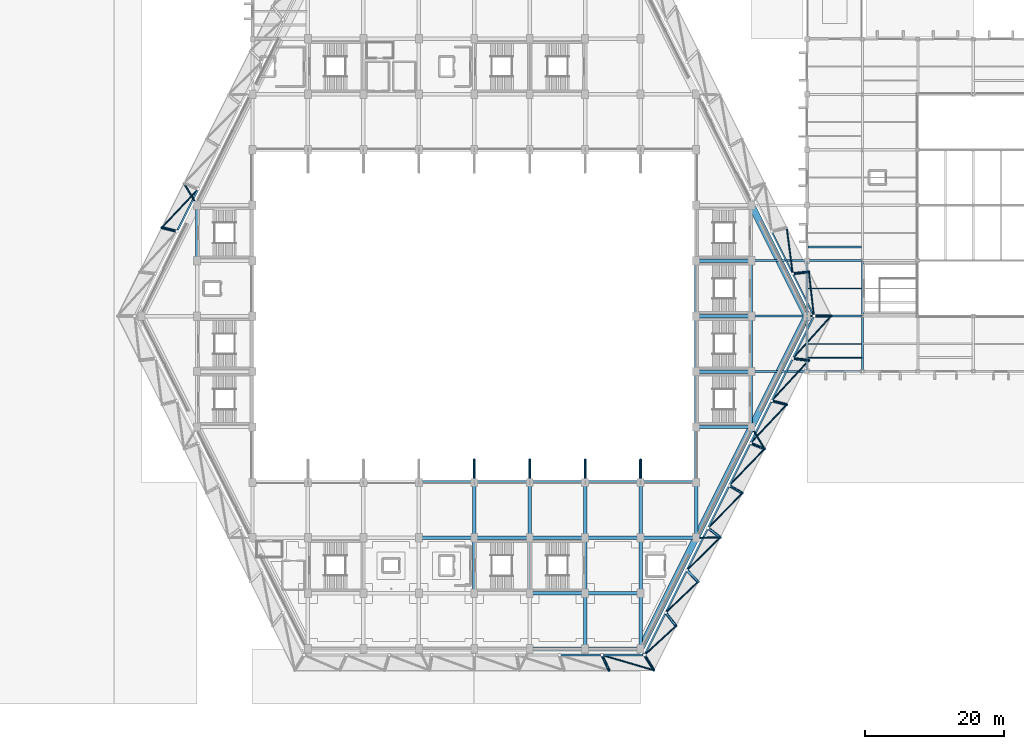
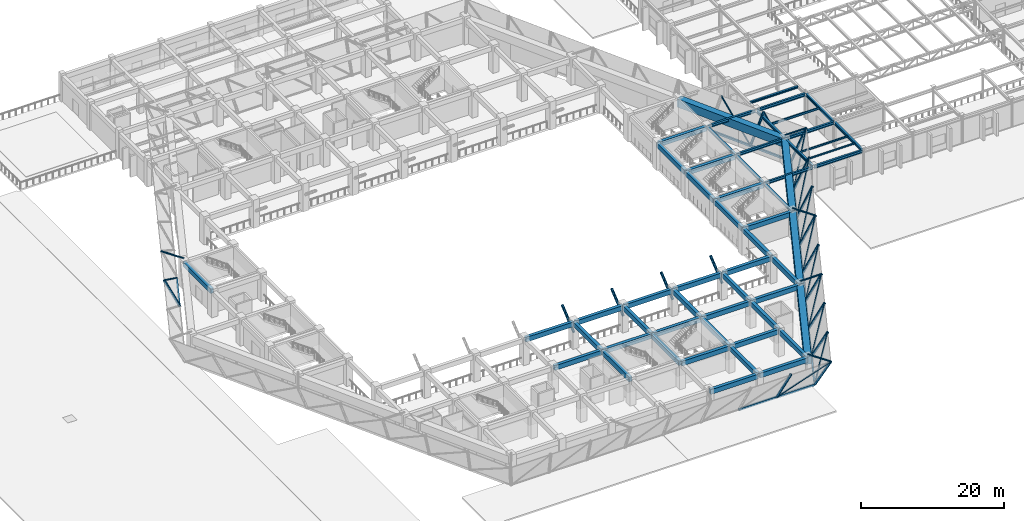
# One storey, part 8 of 46: 55 beams, 46 members.
"""IFC4 building model written with IfcOpenShell, lengths in metres."""

from ifc_helpers import new_model, si_unit, direction, frame, origin, origin_2d, place, context, subcontext, project, spatial, rectangle, hollow_rectangle, hollow_circle, i_section, extrude, material, material_profile, profile_set, type_object, element, save


model = new_model("IFC4")

# Units and contexts
model_context = context("Model", 3, precision=1e-05, world=origin(), true_north=direction((0.0, 1.0)))
body_context = subcontext(model_context, "Body", "Model", "MODEL_VIEW")
ifc_project = project(units=[si_unit("LENGTHUNIT", "METRE"), si_unit("AREAUNIT", "SQUARE_METRE"), si_unit("VOLUMEUNIT", "CUBIC_METRE"), si_unit("PLANEANGLEUNIT", "RADIAN"), si_unit("MASSUNIT", "GRAM", prefix="KILO")], contexts=[model_context])

# Site, building, storey
site_placement = place(None, origin())
site = spatial("IfcSite", under=ifc_project, at=site_placement, CompositionType="ELEMENT")
building_placement = place(site_placement, origin())
building = spatial("IfcBuilding", under=site, at=building_placement, Name="Tazarka Park Arena", CompositionType="ELEMENT")
storey_placement = place(building_placement, frame((0.0, 0.0, 10.199951171875)))
storey = spatial("IfcBuildingStorey", under=building, at=storey_placement, Name="L02", CompositionType="ELEMENT", Elevation=10.199951171875)

# Beams
ifc_material_1 = material(Name="Concrete C40/50", Category="concrete")
ifc_material_profile_1 = material_profile(ifc_material_1, rectangle(XDim=0.5, YDim=0.800048828125, at=origin_2d()), Name="Concrete C40/50")
ifc_profile_set_1 = profile_set([ifc_material_profile_1], Name="Concrete C40/50")
beam_type_1 = type_object("IfcBeamType", Name="BM-B-02", PredefinedType="BEAM", material=ifc_profile_set_1)
for number, where, z_axis, x_axis, name in (
    (1, (80.1201171875, 32.0, 4.02001953125), (1.0, 0.0, 0.0), (0.0, 1.0, 0.0), "GXM-L02-10-04"),
    (2, (88.0, 24.1201171875, 4.02001953125), (0.0, 1.0, 0.0), (-1.0, 0.0, 0.0), "GYM-L02-11-03"),
    (3, (88.1201171875, 32.0, 4.02001953125), (1.0, 0.0, 0.0), (0.0, 1.0, 0.0), "GXM-L02-11-04"),
    (4, (88.0, 32.1201171875, 4.02001953125), (0.0, 1.0, 0.0), (-1.0, 0.0, 0.0), "GYM-L02-11-04"),
    (5, (96.1201171875, 24.0, 4.02001953125), (1.0, 0.0, 0.0), (0.0, 1.0, 0.0), "GXM-L02-12-03"),
    (6, (96.0, 24.1201171875, 4.02001953125), (0.0, 1.0, 0.0), (-1.0, 0.0, 0.0), "GYM-L02-12-03"),
    (7, (96.1201171875, 32.0, 4.02001953125), (1.0, 0.0, 0.0), (0.0, 1.0, 0.0), "GXM-L02-12-04"),
    (8, (96.0, 32.1201171875, 4.02001953125), (0.0, 1.0, 0.0), (-1.0, 0.0, 0.0), "GYM-L02-12-04"),
    (9, (104.0, 16.1201171875, 4.02001953125), (0.0, 1.0, 0.0), (-1.0, 0.0, 0.0), "GYM-L02-13-02"),
    (10, (104.1201171875, 24.0, 4.02001953125), (1.0, 0.0, 0.0), (0.0, 1.0, 0.0), "GXM-L02-13-03"),
    (11, (104.0, 24.1201171875, 4.02001953125), (0.0, 1.0, 0.0), (-1.0, 0.0, 0.0), "GYM-L02-13-03"),
    (12, (104.1201171875, 32.0, 4.02001953125), (1.0, 0.0, 0.0), (0.0, 1.0, 0.0), "GXM-L02-13-04"),
    (13, (104.0, 32.1201171875, 4.02001953125), (0.0, 1.0, 0.0), (-1.0, 0.0, 0.0), "GYM-L02-13-04"),
    (14, (112.1201171875, 32.0, 4.02001953125), (1.0, 0.0, 0.0), (0.0, 1.0, 0.0), "GXM-L02-14-04"),
    (15, (112.0, 32.1201171875, 4.02001953125), (0.0, 1.0, 0.0), (-1.0, 0.0, 0.0), "GYM-L02-14-04"),
    (16, (120.1201171875, 48.0, 4.02001953125), (1.0, 0.0, 0.0), (0.0, 1.0, 0.0), "GXM-L02-15-06"),
    (17, (120.1201171875, 56.0, 4.02001953125), (1.0, 0.0, 0.0), (0.0, 1.0, 0.0), "GXM-L02-15-07"),
    (18, (120.1201171875, 64.0, 4.02001953125), (1.0, 0.0, 0.0), (0.0, 1.0, 0.0), "GXM-L02-15-08"),
    (19, (120.1201171875, 72.0, 4.02001953125), (1.0, 0.0, 0.0), (0.0, 1.0, 0.0), "GXM-L02-15-09"),
):
    element("IfcBeam", number, at=place(storey_placement, frame(where, z_axis=z_axis, x_axis=x_axis)), inside=storey, type_object=beam_type_1, Name=name, PredefinedType="BEAM", context=body_context, shape_type="SweptSolid", body=[
        extrude(rectangle(XDim=0.5, YDim=0.800048828125, at=origin_2d()), origin(), (0.0, 0.0, 1.0), 7.759765625),
    ])
ifc_material_2 = material(Name="Steel S355", Category="steel")
ifc_material_profile_2 = material_profile(ifc_material_2, i_section(OverallWidth=0.300048828125, OverallDepth=0.489990234375, WebThickness=0.011962890625, FlangeThickness=0.02294921875, FilletRadius=0.027099609375, at=origin_2d()), Name="Steel S355")
ifc_profile_set_2 = profile_set([ifc_material_profile_2], Name="Steel S355")
beam_type_2 = type_object("IfcBeamType", Name="BM-B-06", PredefinedType="BEAM", material=ifc_profile_set_2)
for number, where, z_axis, x_axis, name in (
    (20, (128.1201171875, 56.0, 4.175048828125), (1.0, 0.0, 0.0), (0.0, 1.0, 0.0), "GXM-L02-16-07"),
    (21, (128.0, 56.1201171875, 4.175048828125), (0.0, 1.0, 0.0), (-1.0, 0.0, 0.0), "GYM-L02-16-07"),
    (22, (128.1201171875, 64.0, 4.175048828125), (1.0, 0.0, 0.0), (0.0, 1.0, 0.0), "GXM-L02-16-08"),
    (23, (128.0, 64.1201171875, 4.175048828125), (0.0, 1.0, 0.0), (-1.0, 0.0, 0.0), "GYM-L02-16-08"),
    (24, (128.1201171875, 72.0, 4.175048828125), (1.0, 0.0, 0.0), (0.0, 1.0, 0.0), "GXM-L02-16-09"),
    (25, (136.0, 56.1201171875, 4.175048828125), (0.0, 1.0, 0.0), (-1.0, 0.0, 0.0), "GYM-L02-17-07"),
    (26, (136.1201171875, 64.0, 4.175048828125), (1.0, 0.0, 0.0), (0.0, 1.0, 0.0), "GXM-L02-17-08"),
    (27, (136.0, 64.1201171875, 4.175048828125), (0.0, 1.0, 0.0), (-1.0, 0.0, 0.0), "GYM-L02-17-08"),
    (28, (136.1201171875, 72.0, 4.175048828125), (1.0, 0.0, 0.0), (0.0, 1.0, 0.0), "GXM-L02-17-09"),
    (29, (144.0, 56.1201171875, 4.175048828125), (0.0, 1.0, 0.0), (-1.0, 0.0, 0.0), "GYM-L02-18-07"),
    (30, (144.0, 64.1201171875, 4.175048828125), (0.0, 1.0, 0.0), (-1.0, 0.0, 0.0), "GYM-L02-18-08"),
):
    element("IfcBeam", number, at=place(storey_placement, frame(where, z_axis=z_axis, x_axis=x_axis)), inside=storey, type_object=beam_type_2, Name=name, PredefinedType="BEAM", context=body_context, shape_type="SweptSolid", body=[
        extrude(i_section(OverallWidth=0.300048828125, OverallDepth=0.489990234375, WebThickness=0.011962890625, FlangeThickness=0.02294921875, FilletRadius=0.027099609375, at=origin_2d()), origin(), (0.0, 0.0, 1.0), 7.759765625),
    ])
ifc_material_3 = material(Name="Steel S355", Category="steel")
ifc_material_profile_3 = material_profile(ifc_material_3, i_section(OverallWidth=0.14990234375, OverallDepth=0.300048828125, WebThickness=0.007080078125, FlangeThickness=0.0107421875, FilletRadius=0.014892578125, at=origin_2d()), Name="Steel S355")
ifc_profile_set_3 = profile_set([ifc_material_profile_3], Name="Steel S355")
beam_type_3 = type_object("IfcBeamType", Name="BM-J-01", PredefinedType="JOIST", material=ifc_profile_set_3)
beam_1_placement = place(storey_placement, frame((136.1201171875, 60.0, 4.27001953125), z_axis=(1.0, 0.0, 0.0), x_axis=(0.0, 1.0, 0.0)))
element("IfcBeam", 31, at=beam_1_placement, inside=storey, type_object=beam_type_3, Name="JST-L02-17-07", PredefinedType="JOIST", context=body_context, shape_type="SweptSolid", body=[
    extrude(i_section(OverallWidth=0.14990234375, OverallDepth=0.300048828125, WebThickness=0.007080078125, FlangeThickness=0.0107421875, FilletRadius=0.014892578125, at=origin_2d()), origin(), (0.0, 0.0, 1.0), 7.759765625),
])
ifc_material_4 = material(Name="Steel S355", Category="steel")
ifc_material_profile_4 = material_profile(ifc_material_4, i_section(OverallWidth=0.169921875, OverallDepth=0.360107421875, WebThickness=0.008056640625, FlangeThickness=0.0126953125, FilletRadius=0.01806640625, at=origin_2d()), Name="Steel S355")
ifc_profile_set_4 = profile_set([ifc_material_profile_4], Name="Steel S355")
beam_type_4 = type_object("IfcBeamType", Name="BM-J-02", PredefinedType="JOIST", material=ifc_profile_set_4)
beam_2_placement = place(storey_placement, frame((136.1201171875, 68.0, 4.239990234375), z_axis=(1.0, 0.0, 0.0), x_axis=(0.0, 1.0, 0.0)))
element("IfcBeam", 32, at=beam_2_placement, inside=storey, type_object=beam_type_4, Name="JST-L02-17-08", PredefinedType="JOIST", context=body_context, shape_type="SweptSolid", body=[
    extrude(i_section(OverallWidth=0.169921875, OverallDepth=0.360107421875, WebThickness=0.008056640625, FlangeThickness=0.0126953125, FilletRadius=0.01806640625, at=origin_2d()), origin(), (0.0, 0.0, 1.0), 7.759765625),
])
ifc_material_5 = material(Name="Steel S355", Category="steel")
ifc_material_profile_5 = material_profile(ifc_material_5, i_section(OverallWidth=0.135009765625, OverallDepth=0.27001953125, WebThickness=0.006591796875, FlangeThickness=0.01025390625, FilletRadius=0.014892578125, at=origin_2d()), Name="Steel S355")
ifc_profile_set_5 = profile_set([ifc_material_profile_5], Name="Steel S355")
beam_type_5 = type_object("IfcBeamType", Name="BM-J-04", PredefinedType="JOIST", material=ifc_profile_set_5)
beam_3_placement = place(storey_placement, frame((136.1201171875, 58.0, 4.28515625), z_axis=(1.0, 0.0, 0.0), x_axis=(0.0, 1.0, 0.0)))
element("IfcBeam", 33, at=beam_3_placement, inside=storey, type_object=beam_type_5, Name="JST2-L02-17-07", PredefinedType="JOIST", context=body_context, shape_type="SweptSolid", body=[
    extrude(i_section(OverallWidth=0.135009765625, OverallDepth=0.27001953125, WebThickness=0.006591796875, FlangeThickness=0.01025390625, FilletRadius=0.014892578125, at=origin_2d()), origin(), (0.0, 0.0, 1.0), 7.759765625),
])
ifc_material_6 = material(Name="Steel S355", Category="steel")
ifc_material_profile_6 = material_profile(ifc_material_6, i_section(OverallWidth=0.300048828125, OverallDepth=0.330078125, WebThickness=0.009521484375, FlangeThickness=0.0166015625, FilletRadius=0.027099609375, at=origin_2d()), Name="Steel S355")
ifc_profile_set_6 = profile_set([ifc_material_profile_6], Name="Steel S355")
beam_type_6 = type_object("IfcBeamType", Name="BM-J-06", PredefinedType="JOIST", material=ifc_profile_set_6)
beam_4_placement = place(storey_placement, frame((136.1201171875, 74.0, 4.255126953125), z_axis=(1.0, 0.0, 0.0), x_axis=(0.0, 1.0, 0.0)))
element("IfcBeam", 34, at=beam_4_placement, inside=storey, type_object=beam_type_6, Name="JST2-L02-17-09", PredefinedType="JOIST", context=body_context, shape_type="SweptSolid", body=[
    extrude(i_section(OverallWidth=0.300048828125, OverallDepth=0.330078125, WebThickness=0.009521484375, FlangeThickness=0.0166015625, FilletRadius=0.027099609375, at=origin_2d()), origin(), (0.0, 0.0, 1.0), 7.759765625),
])
ifc_material_7 = material(Name="Concrete C50/60", Category="concrete")
ifc_material_profile_7 = material_profile(ifc_material_7, rectangle(XDim=1.0, YDim=1.39990234375, at=origin_2d()), Name="Concrete C50/60")
ifc_profile_set_7 = profile_set([ifc_material_profile_7], Name="Concrete C50/60")
beam_type_7 = type_object("IfcBeamType", Name="BM-RNG-01", PredefinedType="BEAM", material=ifc_profile_set_7)
for number, where, z_axis, x_axis, name in (
    (35, (112.0537109375, 16.107421875, 3.719970703125), (0.4472135955, 0.894427191, 0.0), (-0.894427191, 0.4472135955, 0.0), "RING BEAM RNG-01-L02-07"),
    (36, (120.0537109375, 32.107421875, 3.719970703125), (0.4472135955, 0.894427191, 0.0), (-0.894427191, 0.4472135955, 0.0), "RING BEAM RNG-01-L02-08"),
    (37, (128.0537109375, 48.107421875, 3.719970703125), (0.4472135955, 0.894427191, 0.0), (-0.894427191, 0.4472135955, 0.0), "RING BEAM RNG-01-L02-09"),
    (38, (135.9462890625, 64.107421875, 3.719970703125), (-0.4472135955, 0.894427191, 0.0), (-0.894427191, -0.4472135955, 0.0), "RING BEAM RNG-01-L02-10"),
):
    element("IfcBeam", number, at=place(storey_placement, frame(where, z_axis=z_axis, x_axis=x_axis)), inside=storey, type_object=beam_type_7, Name=name, PredefinedType="BEAM", context=body_context, shape_type="SweptSolid", body=[
        extrude(rectangle(XDim=1.0, YDim=1.39990234375, at=origin_2d()), origin(), (0.0, 0.0, 1.0), 17.6484375),
    ])
ifc_material_8 = material(Name="Concrete C40/50", Category="concrete")
ifc_material_profile_8 = material_profile(ifc_material_8, rectangle(XDim=0.5, YDim=0.800048828125, at=origin_2d()), Name="Concrete C40/50")
ifc_profile_set_8 = profile_set([ifc_material_profile_8], Name="Concrete C40/50")
beam_type_8 = type_object("IfcBeamType", Name="BM-SP-01", PredefinedType="SPANDREL", material=ifc_profile_set_8)
for number, where, z_axis, x_axis, name in (
    (39, (48.0, 72.1201171875, 4.02001953125), (0.0, 1.0, 0.0), (-1.0, 0.0, 0.0), "GYM-L02-06-09"),
    (40, (80.1201171875, 40.0, 4.02001953125), (1.0, 0.0, 0.0), (0.0, 1.0, 0.0), "GXM-L02-10-05"),
    (41, (88.1201171875, 40.0, 4.02001953125), (1.0, 0.0, 0.0), (0.0, 1.0, 0.0), "GXM-L02-11-05"),
    (42, (96.1201171875, 16.0, 4.02001953125), (1.0, 0.0, 0.0), (0.0, 1.0, 0.0), "GXM-L02-12-02"),
    (43, (96.1201171875, 40.0, 4.02001953125), (1.0, 0.0, 0.0), (0.0, 1.0, 0.0), "GXM-L02-12-05"),
    (44, (104.1201171875, 16.0, 4.02001953125), (1.0, 0.0, 0.0), (0.0, 1.0, 0.0), "GXM-L02-13-02"),
    (45, (104.1201171875, 40.0, 4.02001953125), (1.0, 0.0, 0.0), (0.0, 1.0, 0.0), "GXM-L02-13-05"),
    (46, (112.0, 16.1201171875, 4.02001953125), (0.0, 1.0, 0.0), (-1.0, 0.0, 0.0), "GYM-L02-14-02"),
    (47, (112.0, 24.1201171875, 4.02001953125), (0.0, 1.0, 0.0), (-1.0, 0.0, 0.0), "GYM-L02-14-03"),
    (48, (112.1201171875, 40.0, 4.02001953125), (1.0, 0.0, 0.0), (0.0, 1.0, 0.0), "GXM-L02-14-05"),
    (49, (120.0, 32.1201171875, 4.02001953125), (0.0, 1.0, 0.0), (-1.0, 0.0, 0.0), "GYM-L02-15-04"),
    (50, (120.0, 40.1201171875, 4.02001953125), (0.0, 1.0, 0.0), (-1.0, 0.0, 0.0), "GYM-L02-15-05"),
    (51, (120.0, 48.1201171875, 4.02001953125), (0.0, 1.0, 0.0), (-1.0, 0.0, 0.0), "GYM-L02-15-06"),
    (52, (120.0, 56.1201171875, 4.02001953125), (0.0, 1.0, 0.0), (-1.0, 0.0, 0.0), "GYM-L02-15-07"),
    (53, (120.0, 64.1201171875, 4.02001953125), (0.0, 1.0, 0.0), (-1.0, 0.0, 0.0), "GYM-L02-15-08"),
):
    element("IfcBeam", number, at=place(storey_placement, frame(where, z_axis=z_axis, x_axis=x_axis)), inside=storey, type_object=beam_type_8, Name=name, PredefinedType="SPANDREL", context=body_context, shape_type="SweptSolid", body=[
        extrude(rectangle(XDim=0.5, YDim=0.800048828125, at=origin_2d()), origin(), (0.0, 0.0, 1.0), 7.759765625),
    ])
ifc_material_9 = material(Name="Steel S355", Category="steel")
ifc_material_profile_9 = material_profile(ifc_material_9, i_section(OverallWidth=0.300048828125, OverallDepth=0.489990234375, WebThickness=0.011962890625, FlangeThickness=0.02294921875, FilletRadius=0.027099609375, at=origin_2d()), Name="Steel S355")
ifc_profile_set_9 = profile_set([ifc_material_profile_9], Name="Steel S355")
beam_type_9 = type_object("IfcBeamType", Name="BM-SP-02", PredefinedType="SPANDREL", material=ifc_profile_set_9)
for number, where, z_axis, x_axis, name in (
    (54, (128.0, 48.1201171875, 4.175048828125), (0.0, 1.0, 0.0), (-1.0, 0.0, 0.0), "GYM-L02-16-06"),
    (55, (136.1201171875, 56.0, 4.175048828125), (1.0, 0.0, 0.0), (0.0, 1.0, 0.0), "GXM-L02-17-07"),
):
    element("IfcBeam", number, at=place(storey_placement, frame(where, z_axis=z_axis, x_axis=x_axis)), inside=storey, type_object=beam_type_9, Name=name, PredefinedType="SPANDREL", context=body_context, shape_type="SweptSolid", body=[
        extrude(i_section(OverallWidth=0.300048828125, OverallDepth=0.489990234375, WebThickness=0.011962890625, FlangeThickness=0.02294921875, FilletRadius=0.027099609375, at=origin_2d()), origin(), (0.0, 0.0, 1.0), 7.759765625),
    ])

# Members
ifc_material_10 = material(Name="Steel S355", Category="steel")
ifc_material_profile_10 = material_profile(ifc_material_10, hollow_circle(Radius=0.122314453125, WallThickness=0.012451171875, at=origin_2d()), Name="Steel S355")
ifc_profile_set_10 = profile_set([ifc_material_profile_10], Name="Steel S355")
member_type_1 = type_object("IfcMemberType", Name="MEM-BR-05", PredefinedType="BRACE", material=ifc_profile_set_10)
member_1_placement = place(storey_placement, frame((106.417236328125, 15.10009765625, 0.0), z_axis=(0.817634034423, -0.239899655485, 0.523376290112), x_axis=(0.281538768725, 0.959549853684, 0.0)))
element("IfcMember", 56, at=member_1_placement, inside=storey, type_object=member_type_1, Name="FLD-07", PredefinedType="BRACE", context=body_context, shape_type="SweptSolid", body=[
    extrude(hollow_circle(Radius=0.122314453125, WallThickness=0.012451171875, at=origin_2d()), origin(), (0.0, 0.0, 1.0), 9.17138671875),
])
member_2_placement = place(storey_placement, frame((112.55615234375, 15.10009765625, 0.0), z_axis=(0.58153737555, 0.534798620205, 0.613029131987), x_axis=(-0.676908607816, 0.736067073482, 0.0)))
element("IfcMember", 57, at=member_2_placement, inside=storey, type_object=member_type_1, Name="FLD-08", PredefinedType="BRACE", context=body_context, shape_type="SweptSolid", body=[
    extrude(hollow_circle(Radius=0.122314453125, WallThickness=0.012451171875, at=origin_2d()), origin(), (0.0, 0.0, 1.0), 7.830078125),
])
member_3_placement = place(storey_placement, frame((115.612548828125, 21.21240234375, 0.0), z_axis=(0.582014110524, 0.553691887491, 0.595554253513), x_axis=(-0.689258667666, 0.724515347696, 0.0)))
element("IfcMember", 58, at=member_3_placement, inside=storey, type_object=member_type_1, Name="FLD-09", PredefinedType="BRACE", context=body_context, shape_type="SweptSolid", body=[
    extrude(hollow_circle(Radius=0.122314453125, WallThickness=0.012451171875, at=origin_2d()), origin(), (0.0, 0.0, 1.0), 8.059814453125),
])
member_4_placement = place(storey_placement, frame((118.668701171875, 27.324951171875, 0.0), z_axis=(0.582139569178, 0.571160801896, 0.578695827162), x_axis=(-0.700343792805, 0.713805696166, 0.0)))
element("IfcMember", 59, at=member_4_placement, inside=storey, type_object=member_type_1, Name="FLD-10", PredefinedType="BRACE", context=body_context, shape_type="SweptSolid", body=[
    extrude(hollow_circle(Radius=0.122314453125, WallThickness=0.012451171875, at=origin_2d()), origin(), (0.0, 0.0, 1.0), 8.294677734375),
])
member_5_placement = place(storey_placement, frame((121.72509765625, 33.4375, 0.0), z_axis=(0.581905181522, 0.587369482883, 0.562479733231), x_axis=(-0.710403503748, 0.70379461625, 0.0)))
element("IfcMember", 60, at=member_5_placement, inside=storey, type_object=member_type_1, Name="FLD-11", PredefinedType="BRACE", context=body_context, shape_type="SweptSolid", body=[
    extrude(hollow_circle(Radius=0.122314453125, WallThickness=0.012451171875, at=origin_2d()), origin(), (0.0, 0.0, 1.0), 8.53369140625),
])
member_6_placement = place(storey_placement, frame((124.78125, 39.550048828125, 0.0), z_axis=(0.581420928226, 0.602393581906, 0.546874461553), x_axis=(-0.719521095395, 0.694470584893, 0.0)))
element("IfcMember", 61, at=member_6_placement, inside=storey, type_object=member_type_1, Name="FLD-12", PredefinedType="BRACE", context=body_context, shape_type="SweptSolid", body=[
    extrude(hollow_circle(Radius=0.122314453125, WallThickness=0.012451171875, at=origin_2d()), origin(), (0.0, 0.0, 1.0), 8.77734375),
])
member_7_placement = place(storey_placement, frame((127.83740234375, 45.66259765625, 0.0), z_axis=(0.580720168177, 0.616347338321, 0.531864686567), x_axis=(-0.727829444319, 0.685758193522, 0.0)))
element("IfcMember", 62, at=member_7_placement, inside=storey, type_object=member_type_1, Name="FLD-13", PredefinedType="BRACE", context=body_context, shape_type="SweptSolid", body=[
    extrude(hollow_circle(Radius=0.122314453125, WallThickness=0.012451171875, at=origin_2d()), origin(), (0.0, 0.0, 1.0), 9.02490234375),
])
member_8_placement = place(storey_placement, frame((130.893798828125, 51.77490234375, 0.0), z_axis=(0.579814796699, 0.629321452741, 0.517464308575), x_axis=(-0.735442245217, 0.67758741425, 0.0)))
element("IfcMember", 63, at=member_8_placement, inside=storey, type_object=member_type_1, Name="FLD-14", PredefinedType="BRACE", context=body_context, shape_type="SweptSolid", body=[
    extrude(hollow_circle(Radius=0.122314453125, WallThickness=0.012451171875, at=origin_2d()), origin(), (0.0, 0.0, 1.0), 9.276123046875),
])
member_9_placement = place(storey_placement, frame((133.949951171875, 57.887451171875, 0.0), z_axis=(0.578765721541, 0.641373760467, 0.50365656846), x_axis=(-0.742413261567, 0.66994219829, 0.0)))
element("IfcMember", 64, at=member_9_placement, inside=storey, type_object=member_type_1, Name="FLD-15", PredefinedType="BRACE", context=body_context, shape_type="SweptSolid", body=[
    extrude(hollow_circle(Radius=0.122314453125, WallThickness=0.012451171875, at=origin_2d()), origin(), (0.0, 0.0, 1.0), 9.530517578125),
])
member_10_placement = place(storey_placement, frame((137.006103515625, 64.0, 0.0), z_axis=(-0.091465706809, 0.796080268541, 0.598239275305), x_axis=(-0.99346419823, -0.114144149367, 0.0)))
element("IfcMember", 65, at=member_10_placement, inside=storey, type_object=member_type_1, Name="FLD-16", PredefinedType="BRACE", context=body_context, shape_type="SweptSolid", body=[
    extrude(hollow_circle(Radius=0.122314453125, WallThickness=0.012451171875, at=origin_2d()), origin(), (0.0, 0.0, 1.0), 8.023681640625),
])
member_11_placement = place(storey_placement, frame((133.949951171875, 70.112548828125, 0.0), z_axis=(-0.105549754359, 0.806819957058, 0.581292358669), x_axis=(-0.991551104479, -0.12971664198, 0.0)))
element("IfcMember", 66, at=member_11_placement, inside=storey, type_object=member_type_1, Name="FLD-17", PredefinedType="BRACE", context=body_context, shape_type="SweptSolid", body=[
    extrude(hollow_circle(Radius=0.122314453125, WallThickness=0.012451171875, at=origin_2d()), origin(), (0.0, 0.0, 1.0), 8.257568359375),
])
member_12_placement = place(storey_placement, frame((48.16259765625, 82.33740234375, 0.0), z_axis=(-0.580720168177, -0.616347338321, 0.531864686567), x_axis=(0.727829444319, -0.685758193522, 0.0)))
element("IfcMember", 67, at=member_12_placement, inside=storey, type_object=member_type_1, Name="FLD-37", PredefinedType="BRACE", context=body_context, shape_type="SweptSolid", body=[
    extrude(hollow_circle(Radius=0.122314453125, WallThickness=0.012451171875, at=origin_2d()), origin(), (0.0, 0.0, 1.0), 9.02490234375),
])
ifc_material_11 = material(Name="Steel S355", Category="steel")
ifc_material_profile_11 = material_profile(ifc_material_11, hollow_circle(Radius=0.136474609375, WallThickness=0.012451171875, at=origin_2d()), Name="Steel S355")
ifc_profile_set_11 = profile_set([ifc_material_profile_11], Name="Steel S355")
member_type_2 = type_object("IfcMemberType", Name="MEM-SR-01", PredefinedType="STRUT", material=ifc_profile_set_11)
member_13_placement = place(storey_placement, frame((112.0, 16.0, 4.800048828125), z_axis=(0.525741020847, -0.850644684342, 0.0), x_axis=(0.850644684342, 0.525741020847, 0.0)))
element("IfcMember", 68, at=member_13_placement, inside=storey, type_object=member_type_2, Name="FST-06", PredefinedType="STRUT", context=body_context, shape_type="SweptSolid", body=[
    extrude(hollow_circle(Radius=0.136474609375, WallThickness=0.012451171875, at=origin_2d()), origin(), (0.0, 0.0, 1.0), 3.64453125),
])
member_14_placement = place(storey_placement, frame((120.0, 32.0, 4.800048828125), z_axis=(0.999840354506, 0.017868002147, 0.0), x_axis=(-0.017868002147, 0.999840354506, 0.0)))
element("IfcMember", 69, at=member_14_placement, inside=storey, type_object=member_type_2, Name="FST-07", PredefinedType="STRUT", context=body_context, shape_type="SweptSolid", body=[
    extrude(hollow_circle(Radius=0.136474609375, WallThickness=0.012451171875, at=origin_2d()), origin(), (0.0, 0.0, 1.0), 3.497802734375),
])
member_15_placement = place(storey_placement, frame((128.0, 48.0, 4.800048828125), z_axis=(0.511889523846, -0.859051287978, 0.0), x_axis=(0.859051287978, 0.511889523846, 0.0)))
element("IfcMember", 70, at=member_15_placement, inside=storey, type_object=member_type_2, Name="FST-08", PredefinedType="STRUT", context=body_context, shape_type="SweptSolid", body=[
    extrude(hollow_circle(Radius=0.136474609375, WallThickness=0.012451171875, at=origin_2d()), origin(), (0.0, 0.0, 1.0), 3.681396484375),
])
member_16_placement = place(storey_placement, frame((136.0, 64.0, 4.800048828125), z_axis=(1.0, 0.0, 0.0), x_axis=(0.0, 1.0, 0.0)))
element("IfcMember", 71, at=member_16_placement, inside=storey, type_object=member_type_2, Name="FST-09", PredefinedType="STRUT", context=body_context, shape_type="SweptSolid", body=[
    extrude(hollow_circle(Radius=0.136474609375, WallThickness=0.012451171875, at=origin_2d()), origin(), (0.0, 0.0, 1.0), 3.4658203125),
])
member_17_placement = place(storey_placement, frame((48.0, 80.0, 4.800048828125), z_axis=(-0.511938460162, 0.859022126029, 0.0), x_axis=(-0.859022126029, -0.511938460162, 0.0)))
element("IfcMember", 72, at=member_17_placement, inside=storey, type_object=member_type_2, Name="FST-20", PredefinedType="STRUT", context=body_context, shape_type="SweptSolid", body=[
    extrude(hollow_circle(Radius=0.136474609375, WallThickness=0.012451171875, at=origin_2d()), origin(), (0.0, 0.0, 1.0), 3.681640625),
])
ifc_material_12 = material(Name="Steel S460", Category="steel")
ifc_material_profile_12 = material_profile(ifc_material_12, hollow_circle(Radius=0.203125, WallThickness=0.02001953125, at=origin_2d()), Name="Steel S460")
ifc_profile_set_12 = profile_set([ifc_material_profile_12], Name="Steel S460")
member_type_3 = type_object("IfcMemberType", Name="MEM-SR-02", PredefinedType="STRUT", material=ifc_profile_set_12)
member_18_placement = place(storey_placement, frame((106.417236328125, 15.10009765625, 0.0), z_axis=(0.189625110662, -0.40912173744, 0.892559085641), x_axis=(0.907283439143, 0.42051963219, 0.0)))
element("IfcMember", 73, at=member_18_placement, inside=storey, type_object=member_type_3, Name="FSL-07", PredefinedType="STRUT", context=body_context, shape_type="SweptSolid", body=[
    extrude(hollow_circle(Radius=0.203125, WallThickness=0.02001953125, at=origin_2d()), origin(), (0.0, 0.0, 1.0), 5.3779296875),
])
member_19_placement = place(storey_placement, frame((112.55615234375, 15.10009765625, 0.0), z_axis=(0.249398438136, -0.403515031326, 0.880327233788), x_axis=(0.85063908606, 0.525750078712, 0.0)))
element("IfcMember", 74, at=member_19_placement, inside=storey, type_object=member_type_3, Name="FSL-08", PredefinedType="STRUT", context=body_context, shape_type="SweptSolid", body=[
    extrude(hollow_circle(Radius=0.203125, WallThickness=0.02001953125, at=origin_2d()), origin(), (0.0, 0.0, 1.0), 5.45263671875),
])
member_20_placement = place(storey_placement, frame((115.612548828125, 21.21240234375, 0.0), z_axis=(0.278063412914, -0.357510102319, 0.891553287885), x_axis=(0.789352217376, 0.613940613515, 0.0)))
element("IfcMember", 75, at=member_20_placement, inside=storey, type_object=member_type_3, Name="FSL-09", PredefinedType="STRUT", context=body_context, shape_type="SweptSolid", body=[
    extrude(hollow_circle(Radius=0.203125, WallThickness=0.02001953125, at=origin_2d()), origin(), (0.0, 0.0, 1.0), 5.384033203125),
])
member_21_placement = place(storey_placement, frame((118.668701171875, 27.324951171875, 0.0), z_axis=(0.306568887428, -0.309407488238, 0.900156943807), x_axis=(0.710357795107, 0.703840751115, 0.0)))
element("IfcMember", 76, at=member_21_placement, inside=storey, type_object=member_type_3, Name="FSL-10", PredefinedType="STRUT", context=body_context, shape_type="SweptSolid", body=[
    extrude(hollow_circle(Radius=0.203125, WallThickness=0.02001953125, at=origin_2d()), origin(), (0.0, 0.0, 1.0), 5.33251953125),
])
member_22_placement = place(storey_placement, frame((121.72509765625, 33.4375, 0.0), z_axis=(0.334488631047, -0.259517835798, 0.905962388073), x_axis=(0.612998274306, 0.79008424595, 0.0)))
element("IfcMember", 77, at=member_22_placement, inside=storey, type_object=member_type_3, Name="FSL-11", PredefinedType="STRUT", context=body_context, shape_type="SweptSolid", body=[
    extrude(hollow_circle(Radius=0.203125, WallThickness=0.02001953125, at=origin_2d()), origin(), (0.0, 0.0, 1.0), 5.29833984375),
])
member_23_placement = place(storey_placement, frame((124.78125, 39.550048828125, 0.0), z_axis=(0.361555607028, -0.208280435345, 0.908788646099), x_axis=(0.499166123897, 0.866506307394, 0.0)))
element("IfcMember", 78, at=member_23_placement, inside=storey, type_object=member_type_3, Name="FSL-12", PredefinedType="STRUT", context=body_context, shape_type="SweptSolid", body=[
    extrude(hollow_circle(Radius=0.203125, WallThickness=0.02001953125, at=origin_2d()), origin(), (0.0, 0.0, 1.0), 5.28173828125),
])
member_24_placement = place(storey_placement, frame((127.83740234375, 45.66259765625, 0.0), z_axis=(0.387477744413, -0.156192579143, 0.908550975898), x_axis=(0.373868586994, 0.927481686967, 0.0)))
element("IfcMember", 79, at=member_24_placement, inside=storey, type_object=member_type_3, Name="FSL-13", PredefinedType="STRUT", context=body_context, shape_type="SweptSolid", body=[
    extrude(hollow_circle(Radius=0.203125, WallThickness=0.02001953125, at=origin_2d()), origin(), (0.0, 0.0, 1.0), 5.283203125),
])
member_25_placement = place(storey_placement, frame((130.893798828125, 51.77490234375, 0.0), z_axis=(0.411999036498, -0.103690414639, 0.90526520525), x_axis=(0.244065353834, 0.969758786017, 0.0)))
element("IfcMember", 80, at=member_25_placement, inside=storey, type_object=member_type_3, Name="FSL-14", PredefinedType="STRUT", context=body_context, shape_type="SweptSolid", body=[
    extrude(hollow_circle(Radius=0.203125, WallThickness=0.02001953125, at=origin_2d()), origin(), (0.0, 0.0, 1.0), 5.30224609375),
])
member_26_placement = place(storey_placement, frame((133.949951171875, 57.887451171875, 0.0), z_axis=(0.434931861825, -0.051485836461, 0.898990258131), x_axis=(0.117555992862, 0.993066255867, 0.0)))
element("IfcMember", 81, at=member_26_placement, inside=storey, type_object=member_type_3, Name="FSL-15", PredefinedType="STRUT", context=body_context, shape_type="SweptSolid", body=[
    extrude(hollow_circle(Radius=0.203125, WallThickness=0.02001953125, at=origin_2d()), origin(), (0.0, 0.0, 1.0), 5.33935546875),
])
member_27_placement = place(storey_placement, frame((137.006103515625, 64.0, 0.0), z_axis=(0.456045530857, 0.0, 0.889956444881), x_axis=(0.0, 1.0, 0.0)))
element("IfcMember", 82, at=member_27_placement, inside=storey, type_object=member_type_3, Name="FSL-16", PredefinedType="STRUT", context=body_context, shape_type="SweptSolid", body=[
    extrude(hollow_circle(Radius=0.203125, WallThickness=0.02001953125, at=origin_2d()), origin(), (0.0, 0.0, 1.0), 5.3935546875),
])
member_28_placement = place(storey_placement, frame((133.949951171875, 70.112548828125, 0.0), z_axis=(0.434931861825, 0.051485836461, 0.898990258131), x_axis=(-0.117555992862, 0.993066255867, 0.0)))
element("IfcMember", 83, at=member_28_placement, inside=storey, type_object=member_type_3, Name="FSL-17", PredefinedType="STRUT", context=body_context, shape_type="SweptSolid", body=[
    extrude(hollow_circle(Radius=0.203125, WallThickness=0.02001953125, at=origin_2d()), origin(), (0.0, 0.0, 1.0), 5.33935546875),
])
member_29_placement = place(storey_placement, frame((45.106201171875, 76.22509765625, 0.0), z_axis=(-0.411999036498, 0.103690414639, 0.90526520525), x_axis=(-0.244065353834, -0.969758786017, 0.0)))
element("IfcMember", 84, at=member_29_placement, inside=storey, type_object=member_type_3, Name="FSL-38", PredefinedType="STRUT", context=body_context, shape_type="SweptSolid", body=[
    extrude(hollow_circle(Radius=0.203125, WallThickness=0.02001953125, at=origin_2d()), origin(), (0.0, 0.0, 1.0), 5.30224609375),
])
for number, where, z_axis, x_axis, name in (
    (85, (88.0, 40.0, 2.400146484375), (0.0, 0.770463826312, 0.637483719278), (-1.0, 0.0, 0.0), "RKS-S-11"),
    (86, (96.0, 40.0, 2.400146484375), (0.0, 0.770463826312, 0.637483719278), (-1.0, 0.0, 0.0), "RKS-S-12"),
    (87, (104.0, 40.0, 2.400146484375), (0.0, 0.770463826312, 0.637483719278), (-1.0, 0.0, 0.0), "RKS-S-13"),
    (88, (112.0, 40.0, 2.400146484375), (0.0, 0.770463826312, 0.637483719278), (-1.0, 0.0, 0.0), "RKS-S-14"),
):
    element("IfcMember", number, at=place(storey_placement, frame(where, z_axis=z_axis, x_axis=x_axis)), inside=storey, type_object=member_type_3, Name=name, PredefinedType="STRUT", context=body_context, shape_type="SweptSolid", body=[
        extrude(hollow_circle(Radius=0.203125, WallThickness=0.02001953125, at=origin_2d()), origin(), (0.0, 0.0, 1.0), 4.283203125),
    ])
ifc_material_13 = material(Name="Steel S460", Category="steel")
ifc_material_profile_13 = material_profile(ifc_material_13, hollow_rectangle(XDim=0.25, YDim=0.35009765625, WallThickness=0.012451171875, at=origin_2d()), Name="Steel S460")
ifc_profile_set_13 = profile_set([ifc_material_profile_13], Name="Steel S460")
member_type_4 = type_object("IfcMemberType", Name="MEM-SR-04", PredefinedType="STRUT", material=ifc_profile_set_13)
member_30_placement = place(storey_placement, frame((100.278076171875, 15.10009765625, 0.0), z_axis=(1.0, 0.0, 0.0), x_axis=(0.0, 1.0, 0.0)))
element("IfcMember", 89, at=member_30_placement, inside=storey, type_object=member_type_4, Name="GMB-06", PredefinedType="STRUT", context=body_context, shape_type="SweptSolid", body=[
    extrude(hollow_rectangle(XDim=0.25, YDim=0.35009765625, WallThickness=0.012451171875, at=origin_2d()), origin(), (0.0, 0.0, 1.0), 6.13916015625),
])
member_31_placement = place(storey_placement, frame((106.417236328125, 15.10009765625, 0.0), z_axis=(1.0, 0.0, 0.0), x_axis=(0.0, 1.0, 0.0)))
element("IfcMember", 90, at=member_31_placement, inside=storey, type_object=member_type_4, Name="GMB-07", PredefinedType="STRUT", context=body_context, shape_type="SweptSolid", body=[
    extrude(hollow_rectangle(XDim=0.25, YDim=0.35009765625, WallThickness=0.012451171875, at=origin_2d()), origin(), (0.0, 0.0, 1.0), 6.138916015625),
])
for number, where, z_axis, x_axis, name in (
    (91, (112.55615234375, 15.10009765625, 0.0), (0.447242175329, 0.894412900515, 0.0), (-0.894412900515, 0.447242175329, 0.0), "GMB-08"),
    (92, (115.612548828125, 21.21240234375, 0.0), (0.447199305642, 0.894434335786, 0.0), (-0.894434335786, 0.447199305642, 0.0), "GMB-09"),
    (93, (118.668701171875, 27.324951171875, 0.0), (0.447227885015, 0.8944200461, 0.0), (-0.8944200461, 0.447227885015, 0.0), "GMB-10"),
    (94, (121.72509765625, 33.4375, 0.0), (0.447199305642, 0.894434335786, 0.0), (-0.894434335786, 0.447199305642, 0.0), "GMB-11"),
    (95, (124.78125, 39.550048828125, 0.0), (0.447199305642, 0.894434335786, 0.0), (-0.894434335786, 0.447199305642, 0.0), "GMB-12"),
    (96, (127.83740234375, 45.66259765625, 0.0), (0.447242175329, 0.894412900515, 0.0), (-0.894412900515, 0.447242175329, 0.0), "GMB-13"),
    (97, (130.893798828125, 51.77490234375, 0.0), (0.447199305642, 0.894434335786, 0.0), (-0.894434335786, 0.447199305642, 0.0), "GMB-14"),
    (98, (133.949951171875, 57.887451171875, 0.0), (0.447199305642, 0.894434335786, 0.0), (-0.894434335786, 0.447199305642, 0.0), "GMB-15"),
    (99, (137.006103515625, 64.0, 0.0), (-0.447199305642, 0.894434335786, 0.0), (-0.894434335786, -0.447199305642, 0.0), "GMB-16"),
    (100, (133.949951171875, 70.112548828125, 0.0), (-0.447199305642, 0.894434335786, 0.0), (-0.894434335786, -0.447199305642, 0.0), "GMB-17"),
    (101, (48.16259765625, 82.33740234375, 0.0), (-0.447242175329, -0.894412900515, 0.0), (0.894412900515, -0.447242175329, 0.0), "GMB-37"),
):
    element("IfcMember", number, at=place(storey_placement, frame(where, z_axis=z_axis, x_axis=x_axis)), inside=storey, type_object=member_type_4, Name=name, PredefinedType="STRUT", context=body_context, shape_type="SweptSolid", body=[
        extrude(hollow_rectangle(XDim=0.25, YDim=0.35009765625, WallThickness=0.012451171875, at=origin_2d()), origin(), (0.0, 0.0, 1.0), 6.833984375),
    ])

save(model, "model.ifc")
